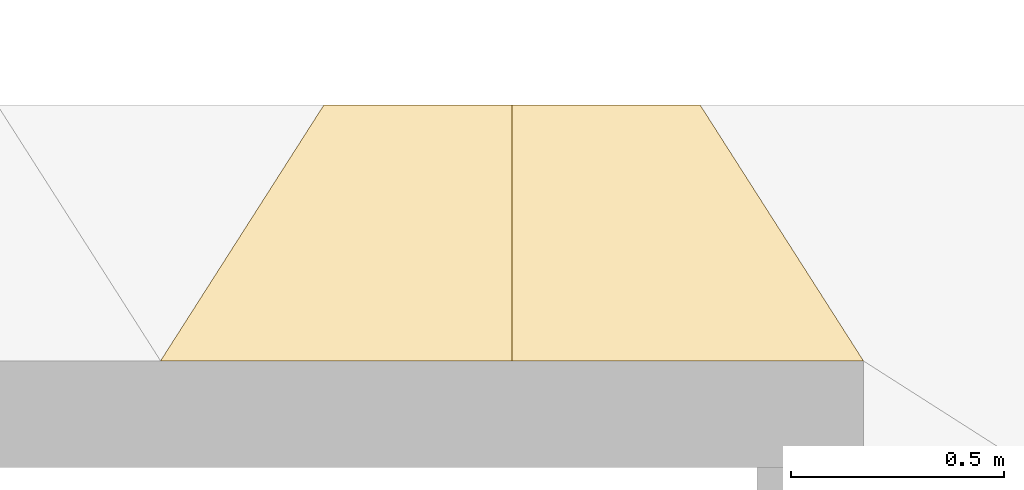
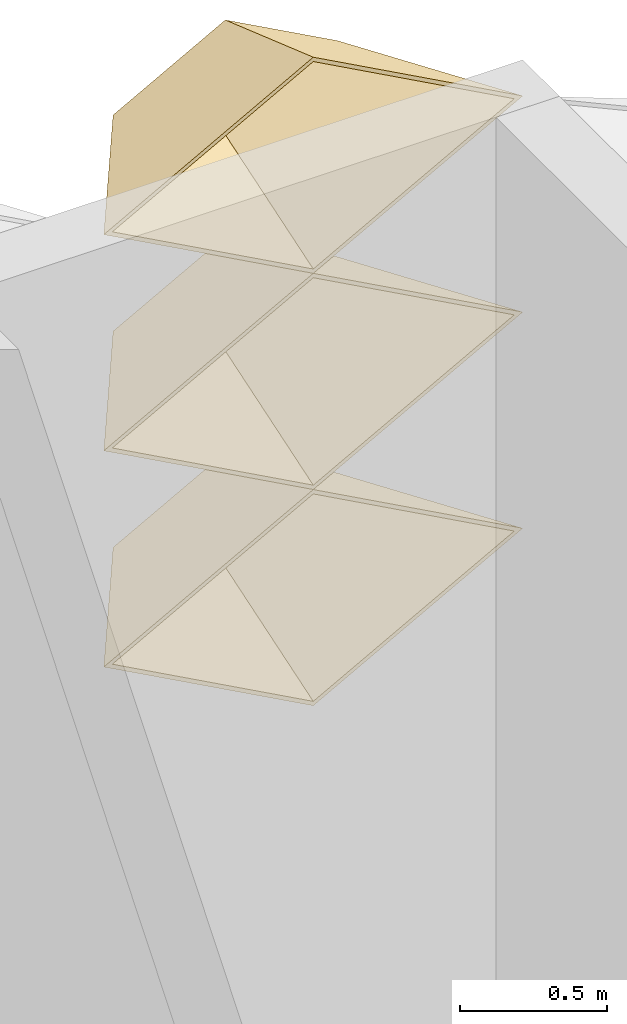
# One storey, part 38 of 39: 3 coverings.
"""IFC4 building model written with IfcOpenShell, lengths in metres."""

from ifc_helpers import new_model, entity, si_unit, direction, frame, origin, place, context, subcontext, project, spatial, material, layer, layer_set, type_object, element, save


model = new_model("IFC4")

# Units and contexts
model_context = context("Model", 3, precision=1e-05, world=origin(), true_north=direction((0.0, 1.0)))
body_context = subcontext(model_context, "Body", "Model", "MODEL_VIEW")
ifc_project = project(units=[si_unit("LENGTHUNIT", "METRE"), si_unit("AREAUNIT", "SQUARE_METRE"), si_unit("VOLUMEUNIT", "CUBIC_METRE"), si_unit("PLANEANGLEUNIT", "RADIAN"), si_unit("MASSUNIT", "GRAM", prefix="KILO")], contexts=[model_context])

# Site, building, storey
site_placement = place(None, origin())
site = spatial("IfcSite", under=ifc_project, at=site_placement, CompositionType="ELEMENT")
building_placement = place(site_placement, origin())
building = spatial("IfcBuilding", under=site, at=building_placement, Name="Lantern Court Research Institute", CompositionType="ELEMENT")
storey_placement = place(building_placement, frame((0.0, 0.0, 27.89990234375)))
storey = spatial("IfcBuildingStorey", under=building, at=storey_placement, Name="L06", CompositionType="ELEMENT", Elevation=27.89990234375)

# Coverings
ifc_material = material(Name="Anodised aluminium", Category="aluminium")
ifc_layer = layer(ifc_material, 0.01611328125)
ifc_layer_set = layer_set([ifc_layer], Name="Anodised aluminium")
covering_type = type_object("IfcCoveringType", Name="Fin cassette 1650 x 900 x 600 aluminium", PredefinedType="CLADDING", material=ifc_layer_set)
covering_1_placement = place(storey_placement, frame((78.375, 23.10009765625, 2.25), z_axis=(0.0, 1.0, 0.0), x_axis=(-1.0, 0.0, 0.0)))
cartesian_point_1 = entity("IfcCartesianPoint", [0.824951171875, 0.0])
cartesian_point_2 = entity("IfcCartesianPoint", [0.79150390625, 0.0])
cartesian_point_3 = entity("IfcCartesianPoint", [0.44189453125, 0.0])
cartesian_point_4 = entity("IfcCartesianPoint", [0.43359375, 0.0])
element("IfcCovering", 1, at=covering_1_placement, inside=storey, type_object=covering_type, Name="Fin cassette V5N-L06 3.48", PredefinedType="CLADDING", context=body_context, shape_type="SweptSolid", body=[
    entity("IfcExtrudedAreaSolidTapered", entity("IfcArbitraryProfileDefWithVoids", "AREA", None, entity("IfcPolyline", [cartesian_point_1, entity("IfcCartesianPoint", [0.0, 0.449951171875]), entity("IfcCartesianPoint", [-0.824951171875, 0.0]), entity("IfcCartesianPoint", [0.0, -0.449951171875]), cartesian_point_1]), [entity("IfcPolyline", [cartesian_point_2, entity("IfcCartesianPoint", [0.0, 0.431884765625]), entity("IfcCartesianPoint", [-0.79150390625, 0.0]), entity("IfcCartesianPoint", [0.0, -0.431884765625]), cartesian_point_2])]), entity("IfcAxis2Placement3D", entity("IfcCartesianPoint", [0.0, 0.0, 0.0])), entity("IfcDirection", [0.0, 0.0, 1.0]), 0.60009765625, entity("IfcArbitraryProfileDefWithVoids", "AREA", None, entity("IfcPolyline", [cartesian_point_3, entity("IfcCartesianPoint", [0.0, 0.240966796875]), entity("IfcCartesianPoint", [-0.44189453125, 0.0]), entity("IfcCartesianPoint", [0.0, -0.240966796875]), cartesian_point_3]), [entity("IfcPolyline", [cartesian_point_4, entity("IfcCartesianPoint", [0.0, 0.236572265625]), entity("IfcCartesianPoint", [-0.43359375, 0.0]), entity("IfcCartesianPoint", [0.0, -0.236572265625]), cartesian_point_4])])),
])
covering_2_placement = place(storey_placement, frame((78.375, 23.10009765625, 3.150146484375), z_axis=(0.0, 1.0, 0.0), x_axis=(-1.0, 0.0, 0.0)))
cartesian_point_5 = entity("IfcCartesianPoint", [0.824951171875, 0.0])
cartesian_point_6 = entity("IfcCartesianPoint", [0.79150390625, 0.0])
cartesian_point_7 = entity("IfcCartesianPoint", [0.44189453125, 0.0])
cartesian_point_8 = entity("IfcCartesianPoint", [0.43359375, 0.0])
element("IfcCovering", 2, at=covering_2_placement, inside=storey, type_object=covering_type, Name="Fin cassette V5N-L06 4.48", PredefinedType="CLADDING", context=body_context, shape_type="SweptSolid", body=[
    entity("IfcExtrudedAreaSolidTapered", entity("IfcArbitraryProfileDefWithVoids", "AREA", None, entity("IfcPolyline", [cartesian_point_5, entity("IfcCartesianPoint", [0.0, 0.449951171875]), entity("IfcCartesianPoint", [-0.824951171875, 0.0]), entity("IfcCartesianPoint", [0.0, -0.449951171875]), cartesian_point_5]), [entity("IfcPolyline", [cartesian_point_6, entity("IfcCartesianPoint", [0.0, 0.431884765625]), entity("IfcCartesianPoint", [-0.79150390625, 0.0]), entity("IfcCartesianPoint", [0.0, -0.431884765625]), cartesian_point_6])]), entity("IfcAxis2Placement3D", entity("IfcCartesianPoint", [0.0, 0.0, 0.0])), entity("IfcDirection", [0.0, 0.0, 1.0]), 0.60009765625, entity("IfcArbitraryProfileDefWithVoids", "AREA", None, entity("IfcPolyline", [cartesian_point_7, entity("IfcCartesianPoint", [0.0, 0.240966796875]), entity("IfcCartesianPoint", [-0.44189453125, 0.0]), entity("IfcCartesianPoint", [0.0, -0.240966796875]), cartesian_point_7]), [entity("IfcPolyline", [cartesian_point_8, entity("IfcCartesianPoint", [0.0, 0.236572265625]), entity("IfcCartesianPoint", [-0.43359375, 0.0]), entity("IfcCartesianPoint", [0.0, -0.236572265625]), cartesian_point_8])])),
])
covering_3_placement = place(storey_placement, frame((78.375, 23.10009765625, 4.050048828125), z_axis=(0.0, 1.0, 0.0), x_axis=(-1.0, 0.0, 0.0)))
cartesian_point_9 = entity("IfcCartesianPoint", [0.824951171875, 0.0])
cartesian_point_10 = entity("IfcCartesianPoint", [0.79150390625, 0.0])
cartesian_point_11 = entity("IfcCartesianPoint", [0.44189453125, 0.0])
cartesian_point_12 = entity("IfcCartesianPoint", [0.43359375, 0.0])
element("IfcCovering", 3, at=covering_3_placement, inside=storey, type_object=covering_type, Name="Fin cassette V5N-L06 5.48", PredefinedType="CLADDING", context=body_context, shape_type="SweptSolid", body=[
    entity("IfcExtrudedAreaSolidTapered", entity("IfcArbitraryProfileDefWithVoids", "AREA", None, entity("IfcPolyline", [cartesian_point_9, entity("IfcCartesianPoint", [0.0, 0.449951171875]), entity("IfcCartesianPoint", [-0.824951171875, 0.0]), entity("IfcCartesianPoint", [0.0, -0.449951171875]), cartesian_point_9]), [entity("IfcPolyline", [cartesian_point_10, entity("IfcCartesianPoint", [0.0, 0.431884765625]), entity("IfcCartesianPoint", [-0.79150390625, 0.0]), entity("IfcCartesianPoint", [0.0, -0.431884765625]), cartesian_point_10])]), entity("IfcAxis2Placement3D", entity("IfcCartesianPoint", [0.0, 0.0, 0.0])), entity("IfcDirection", [0.0, 0.0, 1.0]), 0.60009765625, entity("IfcArbitraryProfileDefWithVoids", "AREA", None, entity("IfcPolyline", [cartesian_point_11, entity("IfcCartesianPoint", [0.0, 0.240966796875]), entity("IfcCartesianPoint", [-0.44189453125, 0.0]), entity("IfcCartesianPoint", [0.0, -0.240966796875]), cartesian_point_11]), [entity("IfcPolyline", [cartesian_point_12, entity("IfcCartesianPoint", [0.0, 0.236572265625]), entity("IfcCartesianPoint", [-0.43359375, 0.0]), entity("IfcCartesianPoint", [0.0, -0.236572265625]), cartesian_point_12])])),
])

save(model, "model.ifc")
